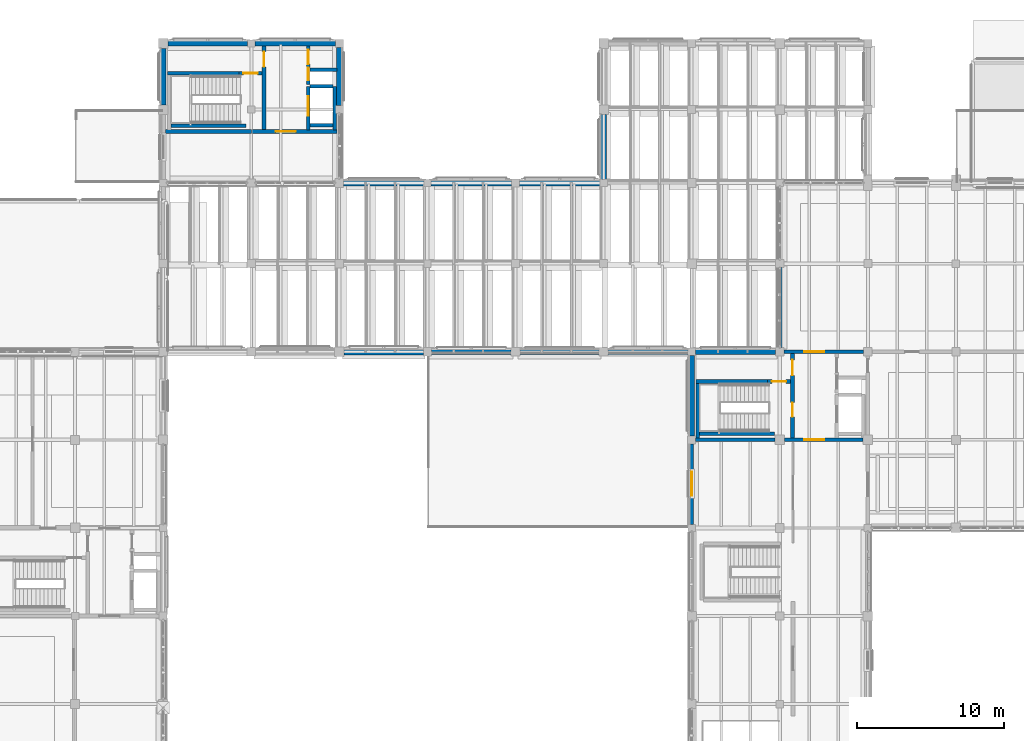
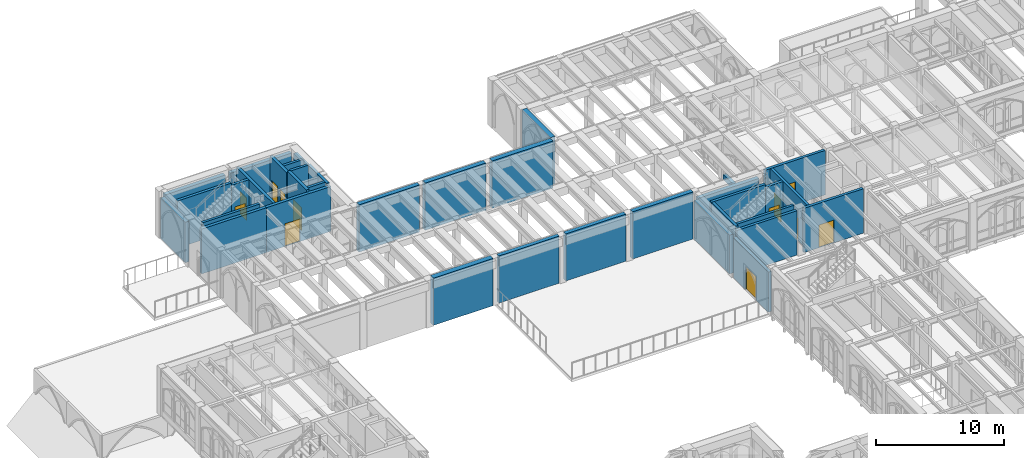
# One storey, part 78 of 127: 36 walls, 12 doors, 12 openings.
"""IFC4 building model written with IfcOpenShell, lengths in metres."""

from ifc_helpers import new_model, si_unit, direction, frame, frame_2d, origin, place, context, subcontext, project, spatial, rectangle, extrude, material, layer, layer_set, type_object, element, fill, save


model = new_model("IFC4")

# Units and contexts
model_context = context("Model", 3, precision=1e-05, world=origin(), true_north=direction((0.0, 1.0)))
body_context = subcontext(model_context, "Body", "Model", "MODEL_VIEW")
ifc_project = project(units=[si_unit("LENGTHUNIT", "METRE"), si_unit("AREAUNIT", "SQUARE_METRE"), si_unit("VOLUMEUNIT", "CUBIC_METRE"), si_unit("PLANEANGLEUNIT", "RADIAN"), si_unit("MASSUNIT", "GRAM", prefix="KILO")], contexts=[model_context])

# Site, building, storey
site_placement = place(None, origin())
site = spatial("IfcSite", under=ifc_project, at=site_placement, CompositionType="ELEMENT")
building_placement = place(site_placement, origin())
building = spatial("IfcBuilding", under=site, at=building_placement, Name="Cumevento Cable Car Station", CompositionType="ELEMENT")
storey_placement = place(building_placement, frame((0.0, 0.0, 4.5)))
storey = spatial("IfcBuildingStorey", under=building, at=storey_placement, Name="L02", CompositionType="ELEMENT", Elevation=4.5)

# Wall, opening, door
ifc_material_1 = material(Name="Gnaisse Facoidal Stone Ashlar 85 MPa", Category="masonry")
ifc_layer_1 = layer(ifc_material_1, 0.280029296875)
ifc_layer_set_1 = layer_set([ifc_layer_1], Name="Gnaisse Facoidal Stone Ashlar 85 MPa")
wall_type_1 = type_object("IfcWallType", Name="Exterior Envelope Wall EW-280 280", PredefinedType="SOLIDWALL", material=ifc_layer_set_1)
wall_1_placement = place(storey_placement, frame((58.0, 33.25, 0.0), z_axis=(0.0, 0.0, 1.0), x_axis=(0.0, 1.0, 0.0)))
wall_1 = element("IfcWall", 1, at=wall_1_placement, inside=storey, type_object=wall_type_1, Name="Exterior Wall EW-280 L02 #118", PredefinedType="SOLIDWALL", context=body_context, shape_type="SweptSolid", body=[
    extrude(rectangle(XDim=5.47509765625, YDim=0.280029296875, at=frame_2d((2.737548828125, 0.0))), origin(), (0.0, 0.0, 1.0), 3.821044921875),
])
opening_1_placement = place(wall_1_placement, frame((1.929931640625, 0.0, 0.0)))
opening_1 = element("IfcOpeningElement", 2, at=opening_1_placement, cuts=wall_1, Name="Opening DR-L02-T03", PredefinedType="OPENING", context=body_context, shape_type="SweptSolid", body=[
    extrude(rectangle(XDim=1.639892578125, YDim=2.219970703125, at=frame_2d((0.81982421875, 1.10986328125))), frame((0.0, 0.150146484375, 0.0), z_axis=(0.0, -1.0, 0.0), x_axis=(1.0, 0.0, 0.0)), (0.0, 0.0, 1.0), 0.300048828125),
])
ifc_material_2 = material(Name="Anodised Bronze Aluminium & Laminated Glass", Category="aluminium")
door_type_1 = type_object("IfcDoorType", Name="Exterior Door ED-05 1640x2220", OperationType="NOTDEFINED", PredefinedType="DOOR", material=ifc_material_2)
door_1_placement = place(opening_1_placement, origin())
door_1 = element("IfcDoor", 3, at=door_1_placement, inside=storey, type_object=door_type_1, Name="West Cloister Parterre Terrace Door", OperationType="DOUBLE_DOOR_SINGLE_SWING", OverallHeight=2.219970703125, OverallWidth=1.639892578125, PredefinedType="DOOR", context=body_context, shape_type="SweptSolid", body=[
    extrude(rectangle(XDim=1.639892578125, YDim=2.219970703125, at=frame_2d((0.81982421875, 1.10986328125))), frame((0.0, 0.02490234375, 0.0), z_axis=(0.0, -1.0, 0.0), x_axis=(1.0, 0.0, 0.0)), (0.0, 0.0, 1.0), 0.050048828125),
])
fill(opening_1, door_1)

# Walls
ifc_material_3 = material(Name="Gnaisse Facoidal Stone Ashlar 85 MPa", Category="masonry")
ifc_layer_2 = layer(ifc_material_3, 0.294921875)
ifc_layer_set_2 = layer_set([ifc_layer_2], Name="Gnaisse Facoidal Stone Ashlar 85 MPa")
wall_type_2 = type_object("IfcWallType", Name="Exterior Envelope Wall EW-295 295", PredefinedType="SOLIDWALL", material=ifc_layer_set_2)
wall_2_placement = place(storey_placement, frame((64.0, 45.300048828125, 0.0), z_axis=(0.0, 0.0, 1.0), x_axis=(0.0, 1.0, 0.0)))
element("IfcWall", 4, at=wall_2_placement, inside=storey, type_object=wall_type_2, Name="Exterior Sill Curb Wall EW-295 L02 #154", PredefinedType="SOLIDWALL", context=body_context, shape_type="SweptSolid", body=[
    extrude(rectangle(XDim=5.425048828125, YDim=0.294921875, at=frame_2d((2.71240234375, 0.0))), origin(), (0.0, 0.0, 1.0), 0.4599609375),
])
ifc_material_4 = material(Name="Concrete C40/50", Category="concrete")
ifc_layer_3 = layer(ifc_material_4, 0.35498046875)
ifc_layer_set_3 = layer_set([ifc_layer_3], Name="Concrete C40/50")
wall_type_3 = type_object("IfcWallType", Name="Exterior Envelope Wall EW-355 355", PredefinedType="SOLIDWALL", material=ifc_layer_set_3)
wall_3_placement = place(storey_placement, frame((58.25, 45.0, 0.0), z_axis=(0.0, 0.0, 1.0), x_axis=(1.0, 0.0, 0.0)))
element("IfcWall", 5, at=wall_3_placement, inside=storey, type_object=wall_type_3, Name="Exterior Wall EW-355 L02 #119", PredefinedType="SOLIDWALL", context=body_context, shape_type="SweptSolid", body=[
    extrude(rectangle(XDim=5.449951171875, YDim=0.35498046875, at=frame_2d((2.72509765625, 0.0))), origin(), (0.0, 0.0, 1.0), 3.697021484375),
])
wall_4_placement = place(storey_placement, frame((58.0, 39.27490234375, 0.0), z_axis=(0.0, 0.0, 1.0), x_axis=(0.0, 1.0, 0.0)))
element("IfcWall", 6, at=wall_4_placement, inside=storey, type_object=wall_type_3, Name="Exterior Wall EW-355 L02 #120", PredefinedType="SOLIDWALL", context=body_context, shape_type="SweptSolid", body=[
    extrude(rectangle(XDim=5.47509765625, YDim=0.35498046875, at=frame_2d((2.737548828125, 0.0))), origin(), (0.0, 0.0, 1.0), 3.702880859375),
])
wall_5_placement = place(storey_placement, frame((22.324951171875, 66.0, 0.0), z_axis=(0.0, 0.0, 1.0), x_axis=(1.0, 0.0, 0.0)))
element("IfcWall", 7, at=wall_5_placement, inside=storey, type_object=wall_type_3, Name="Exterior Wall EW-355 L02 #142", PredefinedType="SOLIDWALL", context=body_context, shape_type="SweptSolid", body=[
    extrude(rectangle(XDim=5.425048828125, YDim=0.35498046875, at=frame_2d((2.71240234375, 0.0))), origin(), (0.0, 0.0, 1.0), 3.868896484375),
])
wall_6_placement = place(storey_placement, frame((28.25, 66.0, 0.0), z_axis=(0.0, 0.0, 1.0), x_axis=(1.0, 0.0, 0.0)))
element("IfcWall", 8, at=wall_6_placement, inside=storey, type_object=wall_type_3, Name="Exterior Wall EW-355 L02 #144", PredefinedType="SOLIDWALL", context=body_context, shape_type="SweptSolid", body=[
    extrude(rectangle(XDim=5.47509765625, YDim=0.35498046875, at=frame_2d((2.737548828125, 0.0))), origin(), (0.0, 0.0, 1.0), 3.868896484375),
])
wall_7_placement = place(storey_placement, frame((22.0, 61.824951171875, 0.0), z_axis=(0.0, 0.0, 1.0), x_axis=(0.0, 1.0, 0.0)))
element("IfcWall", 9, at=wall_7_placement, inside=storey, type_object=wall_type_3, Name="Exterior Wall EW-355 L02 #147", PredefinedType="SOLIDWALL", context=body_context, shape_type="SweptSolid", body=[
    extrude(rectangle(XDim=3.85009765625, YDim=0.35498046875, at=frame_2d((1.925048828125, 0.0))), origin(), (0.0, 0.0, 1.0), 3.868896484375),
])
wall_8_placement = place(storey_placement, frame((34.0, 65.72509765625, 0.0), z_axis=(0.0, 0.0, 1.0), x_axis=(0.0, -1.0, 0.0)))
element("IfcWall", 10, at=wall_8_placement, inside=storey, type_object=wall_type_3, Name="Exterior Wall EW-355 L02 #148", PredefinedType="SOLIDWALL", context=body_context, shape_type="SweptSolid", body=[
    extrude(rectangle(XDim=3.9501953125, YDim=0.35498046875, at=frame_2d((1.97509765625, 0.0))), origin(), (0.0, 0.0, 1.0), 3.868896484375),
])
ifc_material_5 = material(Name="Concrete C40/50", Category="concrete")
ifc_layer_4 = layer(ifc_material_5, 0.22998046875)
ifc_layer_set_4 = layer_set([ifc_layer_4], Name="Concrete C40/50")
wall_type_4 = type_object("IfcWallType", Name="Interior Shear Wall CW-230 230", PredefinedType="SHEAR", material=ifc_layer_set_4)
wall_9_placement = place(storey_placement, frame((58.405029296875, 39.114990234375, 0.0), z_axis=(0.0, 0.0, 1.0), x_axis=(0.0, 1.0, 0.0)))
element("IfcWall", 11, at=wall_9_placement, inside=storey, type_object=wall_type_4, Name="Interior Wall CW-230 L02 #158", PredefinedType="SHEAR", context=body_context, shape_type="SweptSolid", body=[
    extrude(rectangle(XDim=3.735107421875, YDim=0.22998046875, at=frame_2d((1.86767578125, 0.0))), origin(), (0.0, 0.0, 1.0), 4.5),
])
for number, where, z_axis, x_axis, name in (
    (12, (58.52001953125, 39.405029296875, 0.0), (0.0, 0.0, 1.0), (1.0, 0.0, 0.0), "Interior Wall CW-230 L02 #159"),
    (13, (22.52001953125, 60.405029296875, 0.0), (0.0, 0.0, 1.0), (1.0, 0.0, 0.0), "Interior Wall CW-230 L02 #362"),
):
    element("IfcWall", number, at=place(storey_placement, frame(where, z_axis=z_axis, x_axis=x_axis)), inside=storey, type_object=wall_type_4, Name=name, PredefinedType="SHEAR", context=body_context, shape_type="SweptSolid", body=[
        extrude(rectangle(XDim=5.1298828125, YDim=0.22998046875, at=frame_2d((2.56494140625, 0.0))), origin(), (0.0, 0.0, 1.0), 4.5),
    ])
wall_10_placement = place(storey_placement, frame((32.0048828125, 60.419921875, 0.0), z_axis=(0.0, 0.0, 1.0), x_axis=(1.0, 0.0, 0.0)))
element("IfcWall", 14, at=wall_10_placement, inside=storey, type_object=wall_type_4, Name="Interior Wall CW-230 L02 #367", PredefinedType="SHEAR", context=body_context, shape_type="SweptSolid", body=[
    extrude(rectangle(XDim=1.580078125, YDim=0.22998046875, at=frame_2d((0.7900390625, 0.0))), origin(), (0.0, 0.0, 1.0), 4.5),
])
wall_11_placement = place(storey_placement, frame((33.699951171875, 60.114990234375, 0.0), z_axis=(0.0, 0.0, 1.0), x_axis=(0.0, 1.0, 0.0)))
element("IfcWall", 15, at=wall_11_placement, inside=storey, type_object=wall_type_4, Name="Interior Wall CW-230 L02 #368", PredefinedType="SHEAR", context=body_context, shape_type="SweptSolid", body=[
    extrude(rectangle(XDim=2.965087890625, YDim=0.22998046875, at=frame_2d((1.482421875, 0.0))), origin(), (0.0, 0.0, 1.0), 4.5),
])
wall_12_placement = place(storey_placement, frame((32.0048828125, 63.080078125, 0.0), z_axis=(0.0, 0.0, 1.0), x_axis=(1.0, 0.0, 0.0)))
element("IfcWall", 16, at=wall_12_placement, inside=storey, type_object=wall_type_4, Name="Interior Wall CW-230 L02 #369", PredefinedType="SHEAR", context=body_context, shape_type="SweptSolid", body=[
    extrude(rectangle(XDim=1.580078125, YDim=0.22998046875, at=frame_2d((0.7900390625, 0.0))), origin(), (0.0, 0.0, 1.0), 4.5),
])
wall_13_placement = place(storey_placement, frame((32.0048828125, 64.219970703125, 0.0), z_axis=(0.0, 0.0, 1.0), x_axis=(1.0, 0.0, 0.0)))
element("IfcWall", 17, at=wall_13_placement, inside=storey, type_object=wall_type_4, Name="Interior Wall CW-230 L02 #371", PredefinedType="SHEAR", context=body_context, shape_type="SweptSolid", body=[
    extrude(rectangle(XDim=1.820068359375, YDim=0.22998046875, at=frame_2d((0.91015625, 0.0))), origin(), (0.0, 0.0, 1.0), 4.27587890625),
])
ifc_material_6 = material(Name="Concrete C40/50", Category="concrete")
ifc_layer_5 = layer(ifc_material_6, 0.25)
ifc_layer_set_5 = layer_set([ifc_layer_5], Name="Concrete C40/50")
wall_type_5 = type_object("IfcWallType", Name="Interior Shear Wall CW-250 250", PredefinedType="SHEAR", material=ifc_layer_set_5)
wall_14_placement = place(storey_placement, frame((58.27490234375, 39.0, 0.0), z_axis=(0.0, 0.0, 1.0), x_axis=(1.0, 0.0, 0.0)))
element("IfcWall", 18, at=wall_14_placement, inside=storey, type_object=wall_type_5, Name="Interior Wall CW-250 L02 #154", PredefinedType="SHEAR", context=body_context, shape_type="SweptSolid", body=[
    extrude(rectangle(XDim=5.400146484375, YDim=0.25, at=frame_2d((2.7001953125, 0.0))), origin(), (0.0, 0.0, 1.0), 4.22802734375),
])

# Wall, opening, door
wall_15_placement = place(storey_placement, frame((64.324951171875, 39.0, 0.0), z_axis=(0.0, 0.0, 1.0), x_axis=(1.0, 0.0, 0.0)))
wall_15 = element("IfcWall", 19, at=wall_15_placement, inside=storey, type_object=wall_type_5, Name="Interior Wall CW-250 L02 #155", PredefinedType="SHEAR", context=body_context, shape_type="SweptSolid", body=[
    extrude(rectangle(XDim=5.35009765625, YDim=0.25, at=frame_2d((2.675048828125, 0.0))), origin(), (0.0, 0.0, 1.0), 4.22802734375),
])
opening_2_placement = place(wall_15_placement, frame((1.3349609375, 0.0, 0.0)))
opening_2 = element("IfcOpeningElement", 20, at=opening_2_placement, cuts=wall_15, Name="Opening DR-L02-008", PredefinedType="OPENING", context=body_context, shape_type="SweptSolid", body=[
    extrude(rectangle(XDim=1.3798828125, YDim=2.159912109375, at=frame_2d((0.68994140625, 1.080078125))), frame((0.0, 0.135009765625, 0.0), z_axis=(0.0, -1.0, 0.0), x_axis=(1.0, 0.0, 0.0)), (0.0, 0.0, 1.0), 0.27001953125),
])
ifc_material_7 = material(Name="Galvanised Painted Steel Fire Door", Category="steel")
door_type_2 = type_object("IfcDoorType", Name="Interior Door FD-04 1380x2160", OperationType="NOTDEFINED", PredefinedType="DOOR", material=ifc_material_7)
door_2_placement = place(opening_2_placement, origin())
door_2 = element("IfcDoor", 21, at=door_2_placement, inside=storey, type_object=door_type_2, Name="Core CORE1 S_lobby Fire Door L02", OperationType="DOUBLE_DOOR_SINGLE_SWING", OverallHeight=2.159912109375, OverallWidth=1.3798828125, PredefinedType="DOOR", context=body_context, shape_type="SweptSolid", body=[
    extrude(rectangle(XDim=1.3798828125, YDim=2.159912109375, at=frame_2d((0.68994140625, 1.080078125))), frame((0.0, 0.02490234375, 0.0), z_axis=(0.0, -1.0, 0.0), x_axis=(1.0, 0.0, 0.0)), (0.0, 0.0, 1.0), 0.050048828125),
])
fill(opening_2, door_2)

wall_16_placement = place(storey_placement, frame((64.300048828125, 45.0, 0.0), z_axis=(0.0, 0.0, 1.0), x_axis=(1.0, 0.0, 0.0)))
wall_16 = element("IfcWall", 22, at=wall_16_placement, inside=storey, type_object=wall_type_5, Name="Interior Wall CW-250 L02 #156", PredefinedType="SHEAR", context=body_context, shape_type="SweptSolid", body=[
    extrude(rectangle(XDim=5.39990234375, YDim=0.25, at=frame_2d((2.699951171875, 0.0))), origin(), (0.0, 0.0, 1.0), 4.22802734375),
])
opening_3_placement = place(wall_16_placement, frame((1.360107421875, 0.0, 0.0)))
opening_3 = element("IfcOpeningElement", 23, at=opening_3_placement, cuts=wall_16, Name="Opening DR-L02-009", PredefinedType="OPENING", context=body_context, shape_type="SweptSolid", body=[
    extrude(rectangle(XDim=1.3798828125, YDim=2.159912109375, at=frame_2d((0.68994140625, 1.080078125))), frame((0.0, 0.135009765625, 0.0), z_axis=(0.0, -1.0, 0.0), x_axis=(1.0, 0.0, 0.0)), (0.0, 0.0, 1.0), 0.27001953125),
])
door_3_placement = place(opening_3_placement, origin())
door_3 = element("IfcDoor", 24, at=door_3_placement, inside=storey, type_object=door_type_2, Name="Core CORE1 N_lobby Fire Door L02", OperationType="DOUBLE_DOOR_SINGLE_SWING", OverallHeight=2.159912109375, OverallWidth=1.3798828125, PredefinedType="DOOR", context=body_context, shape_type="SweptSolid", body=[
    extrude(rectangle(XDim=1.3798828125, YDim=2.159912109375, at=frame_2d((0.68994140625, 1.080078125))), frame((0.0, 0.02490234375, 0.0), z_axis=(0.0, -1.0, 0.0), x_axis=(1.0, 0.0, 0.0)), (0.0, 0.0, 1.0), 0.050048828125),
])
fill(opening_3, door_3)

# Wall
wall_17_placement = place(storey_placement, frame((58.2900390625, 42.97509765625, 0.0), z_axis=(0.0, 0.0, 1.0), x_axis=(1.0, 0.0, 0.0)))
element("IfcWall", 25, at=wall_17_placement, inside=storey, type_object=wall_type_5, Name="Interior Wall CW-250 L02 #160", PredefinedType="SHEAR", context=body_context, shape_type="SweptSolid", body=[
    extrude(rectangle(XDim=4.869873046875, YDim=0.25, at=frame_2d((2.43505859375, 0.0))), origin(), (0.0, 0.0, 1.0), 4.5),
])

# Wall, opening, door
wall_18_placement = place(storey_placement, frame((63.159912109375, 42.97509765625, 0.0), z_axis=(0.0, 0.0, 1.0), x_axis=(1.0, 0.0, 0.0)))
wall_18 = element("IfcWall", 26, at=wall_18_placement, inside=storey, type_object=wall_type_5, Name="Interior Wall CW-250 L02 #161", PredefinedType="SHEAR", context=body_context, shape_type="SweptSolid", body=[
    extrude(rectangle(XDim=1.580078125, YDim=0.25, at=frame_2d((0.7900390625, 0.0))), origin(), (0.0, 0.0, 1.0), 4.22802734375),
])
opening_4_placement = place(wall_18_placement, frame((0.31005859375, 0.0, 0.0)))
opening_4 = element("IfcOpeningElement", 27, at=opening_4_placement, cuts=wall_18, Name="Opening DR-L02-011", PredefinedType="OPENING", context=body_context, shape_type="SweptSolid", body=[
    extrude(rectangle(XDim=0.9599609375, YDim=2.1201171875, at=frame_2d((0.47998046875, 1.06005859375))), frame((0.0, 0.135009765625, 0.0), z_axis=(0.0, -1.0, 0.0), x_axis=(1.0, 0.0, 0.0)), (0.0, 0.0, 1.0), 0.27001953125),
])
ifc_material_8 = material(Name="Galvanised Painted Steel Fire Door", Category="steel")
door_type_3 = type_object("IfcDoorType", Name="Interior Door FD-01 960x2120", OperationType="NOTDEFINED", PredefinedType="DOOR", material=ifc_material_8)
door_4_placement = place(opening_4_placement, origin())
door_4 = element("IfcDoor", 28, at=door_4_placement, inside=storey, type_object=door_type_3, Name="Stair ST-01 Enclosure Door L02", OperationType="SINGLE_SWING_LEFT", OverallHeight=2.1201171875, OverallWidth=0.9599609375, PredefinedType="DOOR", context=body_context, shape_type="SweptSolid", body=[
    extrude(rectangle(XDim=0.9599609375, YDim=2.1201171875, at=frame_2d((0.47998046875, 1.06005859375))), frame((0.0, 0.02490234375, 0.0), z_axis=(0.0, -1.0, 0.0), x_axis=(1.0, 0.0, 0.0)), (0.0, 0.0, 1.0), 0.050048828125),
])
fill(opening_4, door_4)

# Wall, openings, doors
wall_19_placement = place(storey_placement, frame((64.864990234375, 39.125, 0.0), z_axis=(0.0, 0.0, 1.0), x_axis=(0.0, 1.0, 0.0)))
wall_19 = element("IfcWall", 29, at=wall_19_placement, inside=storey, type_object=wall_type_5, Name="Interior Wall CW-250 L02 #162", PredefinedType="SHEAR", context=body_context, shape_type="SweptSolid", body=[
    extrude(rectangle(XDim=5.75, YDim=0.25, at=frame_2d((2.875, 0.0))), origin(), (0.0, 0.0, 1.0), 4.22802734375),
])
opening_5_placement = place(wall_19_placement, frame((4.27490234375, 0.0, 0.0)))
opening_5 = element("IfcOpeningElement", 30, at=opening_5_placement, cuts=wall_19, Name="Opening DR-L02-012", PredefinedType="OPENING", context=body_context, shape_type="SweptSolid", body=[
    extrude(rectangle(XDim=1.0400390625, YDim=2.139892578125, at=frame_2d((0.52001953125, 1.06982421875))), frame((0.0, 0.135009765625, 0.0), z_axis=(0.0, -1.0, 0.0), x_axis=(1.0, 0.0, 0.0)), (0.0, 0.0, 1.0), 0.27001953125),
])
opening_6_placement = place(wall_19_placement, frame((1.445068359375, 0.0, 0.0)))
opening_6 = element("IfcOpeningElement", 31, at=opening_6_placement, cuts=wall_19, Name="Opening DR-L02-013", PredefinedType="OPENING", context=body_context, shape_type="SweptSolid", body=[
    extrude(rectangle(XDim=0.9599609375, YDim=2.1201171875, at=frame_2d((0.47998046875, 1.06005859375))), frame((0.0, 0.135009765625, 0.0), z_axis=(0.0, -1.0, 0.0), x_axis=(1.0, 0.0, 0.0)), (0.0, 0.0, 1.0), 0.27001953125),
])
door_5_placement = place(opening_6_placement, origin())
door_5 = element("IfcDoor", 32, at=door_5_placement, inside=storey, type_object=door_type_3, Name="Firefighting Lobby Direct Stair Door L02", OperationType="SINGLE_SWING_LEFT", OverallHeight=2.1201171875, OverallWidth=0.9599609375, PredefinedType="DOOR", context=body_context, shape_type="SweptSolid", body=[
    extrude(rectangle(XDim=0.9599609375, YDim=2.1201171875, at=frame_2d((0.47998046875, 1.06005859375))), frame((0.0, 0.02490234375, 0.0), z_axis=(0.0, -1.0, 0.0), x_axis=(1.0, 0.0, 0.0)), (0.0, 0.0, 1.0), 0.050048828125),
])
fill(opening_6, door_5)
ifc_material_9 = material(Name="Galvanised Painted Steel Fire Door", Category="steel")
door_type_4 = type_object("IfcDoorType", Name="Interior Door FD-02 1040x2140", OperationType="NOTDEFINED", PredefinedType="DOOR", material=ifc_material_9)
door_6_placement = place(opening_5_placement, origin())
door_6 = element("IfcDoor", 33, at=door_6_placement, inside=storey, type_object=door_type_4, Name="Lobby Vestibule Door CORE1 L02", OperationType="SINGLE_SWING_RIGHT", OverallHeight=2.139892578125, OverallWidth=1.0400390625, PredefinedType="DOOR", context=body_context, shape_type="SweptSolid", body=[
    extrude(rectangle(XDim=1.0400390625, YDim=2.139892578125, at=frame_2d((0.52001953125, 1.06982421875))), frame((0.0, 0.02490234375, 0.0), z_axis=(0.0, -1.0, 0.0), x_axis=(1.0, 0.0, 0.0)), (0.0, 0.0, 1.0), 0.050048828125),
])
fill(opening_5, door_6)

# Wall
wall_20_placement = place(storey_placement, frame((22.2900390625, 63.97509765625, 0.0), z_axis=(0.0, 0.0, 1.0), x_axis=(1.0, 0.0, 0.0)))
element("IfcWall", 34, at=wall_20_placement, inside=storey, type_object=wall_type_5, Name="Interior Wall CW-250 L02 #363", PredefinedType="SHEAR", context=body_context, shape_type="SweptSolid", body=[
    extrude(rectangle(XDim=4.869873046875, YDim=0.25, at=frame_2d((2.43505859375, 0.0))), origin(), (0.0, 0.0, 1.0), 4.5),
])

# Wall, opening, door
wall_21_placement = place(storey_placement, frame((27.159912109375, 63.97509765625, 0.0), z_axis=(0.0, 0.0, 1.0), x_axis=(1.0, 0.0, 0.0)))
wall_21 = element("IfcWall", 35, at=wall_21_placement, inside=storey, type_object=wall_type_5, Name="Interior Wall CW-250 L02 #364", PredefinedType="SHEAR", context=body_context, shape_type="SweptSolid", body=[
    extrude(rectangle(XDim=1.580078125, YDim=0.25, at=frame_2d((0.7900390625, 0.0))), origin(), (0.0, 0.0, 1.0), 4.27587890625),
])
opening_7_placement = place(wall_21_placement, frame((0.31005859375, 0.0, 0.0)))
opening_7 = element("IfcOpeningElement", 36, at=opening_7_placement, cuts=wall_21, Name="Opening DR-L02-107", PredefinedType="OPENING", context=body_context, shape_type="SweptSolid", body=[
    extrude(rectangle(XDim=0.9599609375, YDim=2.1201171875, at=frame_2d((0.47998046875, 1.06005859375))), frame((0.0, 0.135009765625, 0.0), z_axis=(0.0, -1.0, 0.0), x_axis=(1.0, 0.0, 0.0)), (0.0, 0.0, 1.0), 0.27001953125),
])
door_7_placement = place(opening_7_placement, origin())
door_7 = element("IfcDoor", 37, at=door_7_placement, inside=storey, type_object=door_type_3, Name="Stair ST-04 Enclosure Door L02", OperationType="SINGLE_SWING_RIGHT", OverallHeight=2.1201171875, OverallWidth=0.9599609375, PredefinedType="DOOR", context=body_context, shape_type="SweptSolid", body=[
    extrude(rectangle(XDim=0.9599609375, YDim=2.1201171875, at=frame_2d((0.47998046875, 1.06005859375))), frame((0.0, 0.02490234375, 0.0), z_axis=(0.0, -1.0, 0.0), x_axis=(1.0, 0.0, 0.0)), (0.0, 0.0, 1.0), 0.050048828125),
])
fill(opening_7, door_7)

wall_22_placement = place(storey_placement, frame((28.864990234375, 60.137451171875, 0.0), z_axis=(0.0, 0.0, 1.0), x_axis=(0.0, 1.0, 0.0)))
wall_22 = element("IfcWall", 38, at=wall_22_placement, inside=storey, type_object=wall_type_5, Name="Interior Wall CW-250 L02 #365", PredefinedType="SHEAR", context=body_context, shape_type="SweptSolid", body=[
    extrude(rectangle(XDim=5.6875, YDim=0.25, at=frame_2d((2.84375, 0.0))), origin(), (0.0, 0.0, 1.0), 4.27587890625),
])
opening_8_placement = place(wall_22_placement, frame((4.262451171875, 0.0, 0.0)))
opening_8 = element("IfcOpeningElement", 39, at=opening_8_placement, cuts=wall_22, Name="Opening DR-L02-108", PredefinedType="OPENING", context=body_context, shape_type="SweptSolid", body=[
    extrude(rectangle(XDim=1.0400390625, YDim=2.139892578125, at=frame_2d((0.52001953125, 1.06982421875))), frame((0.0, 0.135009765625, 0.0), z_axis=(0.0, -1.0, 0.0), x_axis=(1.0, 0.0, 0.0)), (0.0, 0.0, 1.0), 0.27001953125),
])
door_8_placement = place(opening_8_placement, origin())
door_8 = element("IfcDoor", 40, at=door_8_placement, inside=storey, type_object=door_type_4, Name="Lobby Vestibule Door CORE4 L02", OperationType="SINGLE_SWING_LEFT", OverallHeight=2.139892578125, OverallWidth=1.0400390625, PredefinedType="DOOR", context=body_context, shape_type="SweptSolid", body=[
    extrude(rectangle(XDim=1.0400390625, YDim=2.139892578125, at=frame_2d((0.52001953125, 1.06982421875))), frame((0.0, 0.02490234375, 0.0), z_axis=(0.0, -1.0, 0.0), x_axis=(1.0, 0.0, 0.0)), (0.0, 0.0, 1.0), 0.050048828125),
])
fill(opening_8, door_8)

wall_23_placement = place(storey_placement, frame((31.8798828125, 60.114990234375, 0.0), z_axis=(0.0, 0.0, 1.0), x_axis=(0.0, 1.0, 0.0)))
wall_23 = element("IfcWall", 41, at=wall_23_placement, inside=storey, type_object=wall_type_5, Name="Interior Wall CW-250 L02 #366", PredefinedType="SHEAR", context=body_context, shape_type="SweptSolid", body=[
    extrude(rectangle(XDim=2.965087890625, YDim=0.25, at=frame_2d((1.482421875, 0.0))), origin(), (0.0, 0.0, 1.0), 4.5),
])
opening_9_placement = place(wall_23_placement, frame((0.97509765625, 0.0, 0.0)))
opening_9 = element("IfcOpeningElement", 42, at=opening_9_placement, cuts=wall_23, Name="Opening LD-LF04-L02", PredefinedType="OPENING", context=body_context, shape_type="SweptSolid", body=[
    extrude(rectangle(XDim=1.320068359375, YDim=2.199951171875, at=frame_2d((0.66015625, 1.10009765625))), frame((0.0, 0.135009765625, 0.0), z_axis=(0.0, -1.0, 0.0), x_axis=(1.0, 0.0, 0.0)), (0.0, 0.0, 1.0), 0.27001953125),
])
ifc_material_10 = material(Name="Brushed Stainless Steel Lift Door", Category="steel")
door_type_5 = type_object("IfcDoorType", Name="Interior Door LD-04 1320x2200", OperationType="NOTDEFINED", PredefinedType="DOOR", material=ifc_material_10)
door_9_placement = place(opening_9_placement, origin())
door_9 = element("IfcDoor", 43, at=door_9_placement, inside=storey, type_object=door_type_5, Name="Lift Landing Door LD-LF04-L02", OperationType="DOUBLE_DOOR_SLIDING", OverallHeight=2.199951171875, OverallWidth=1.320068359375, PredefinedType="DOOR", context=body_context, shape_type="SweptSolid", body=[
    extrude(rectangle(XDim=1.320068359375, YDim=2.199951171875, at=frame_2d((0.66015625, 1.10009765625))), frame((0.0, 0.02490234375, 0.0), z_axis=(0.0, -1.0, 0.0), x_axis=(1.0, 0.0, 0.0)), (0.0, 0.0, 1.0), 0.050048828125),
])
fill(opening_9, door_9)

# Wall, openings, doors
wall_24_placement = place(storey_placement, frame((31.8798828125, 63.199951171875, 0.0), z_axis=(0.0, 0.0, 1.0), x_axis=(0.0, 1.0, 0.0)))
wall_24 = element("IfcWall", 44, at=wall_24_placement, inside=storey, type_object=wall_type_5, Name="Interior Wall CW-250 L02 #370", PredefinedType="SHEAR", context=body_context, shape_type="SweptSolid", body=[
    extrude(rectangle(XDim=2.625, YDim=0.25, at=frame_2d((1.3125, 0.0))), origin(), (0.0, 0.0, 1.0), 4.27587890625),
])
opening_10_placement = place(wall_24_placement, frame((0.280029296875, 0.0, 0.0)))
opening_10 = element("IfcOpeningElement", 45, at=opening_10_placement, cuts=wall_24, Name="Opening DR-L02-110", PredefinedType="OPENING", context=body_context, shape_type="SweptSolid", body=[
    extrude(rectangle(XDim=0.8798828125, YDim=2.080078125, at=frame_2d((0.43994140625, 1.0400390625))), frame((0.0, 0.135009765625, 0.0), z_axis=(0.0, -1.0, 0.0), x_axis=(1.0, 0.0, 0.0)), (0.0, 0.0, 1.0), 0.27001953125),
])
opening_11_placement = place(wall_24_placement, frame((1.39990234375, 0.0, 0.0)))
opening_11 = element("IfcOpeningElement", 46, at=opening_11_placement, cuts=wall_24, Name="Opening DR-L02-111", PredefinedType="OPENING", context=body_context, shape_type="SweptSolid", body=[
    extrude(rectangle(XDim=0.9599609375, YDim=2.1201171875, at=frame_2d((0.47998046875, 1.06005859375))), frame((0.0, 0.135009765625, 0.0), z_axis=(0.0, -1.0, 0.0), x_axis=(1.0, 0.0, 0.0)), (0.0, 0.0, 1.0), 0.27001953125),
])
door_10_placement = place(opening_11_placement, origin())
door_10 = element("IfcDoor", 47, at=door_10_placement, inside=storey, type_object=door_type_3, Name="East Vestibule Lobby Door CORE4 L02", OperationType="SINGLE_SWING_LEFT", OverallHeight=2.1201171875, OverallWidth=0.9599609375, PredefinedType="DOOR", context=body_context, shape_type="SweptSolid", body=[
    extrude(rectangle(XDim=0.9599609375, YDim=2.1201171875, at=frame_2d((0.47998046875, 1.06005859375))), frame((0.0, 0.02490234375, 0.0), z_axis=(0.0, -1.0, 0.0), x_axis=(1.0, 0.0, 0.0)), (0.0, 0.0, 1.0), 0.050048828125),
])
fill(opening_11, door_10)
ifc_material_11 = material(Name="Galvanised Painted Steel Fire Door", Category="steel")
door_type_6 = type_object("IfcDoorType", Name="Interior Door FD-07 880x2080", OperationType="NOTDEFINED", PredefinedType="DOOR", material=ifc_material_11)
door_11_placement = place(opening_10_placement, origin())
door_11 = element("IfcDoor", 48, at=door_11_placement, inside=storey, type_object=door_type_6, Name="MEP Riser Access Door CORE4 L02", OperationType="SINGLE_SWING_RIGHT", OverallHeight=2.080078125, OverallWidth=0.8798828125, PredefinedType="DOOR", context=body_context, shape_type="SweptSolid", body=[
    extrude(rectangle(XDim=0.8798828125, YDim=2.080078125, at=frame_2d((0.43994140625, 1.0400390625))), frame((0.0, 0.02490234375, 0.0), z_axis=(0.0, -1.0, 0.0), x_axis=(1.0, 0.0, 0.0)), (0.0, 0.0, 1.0), 0.050048828125),
])
fill(opening_10, door_11)

# Wall
ifc_material_12 = material(Name="Concrete C40/50", Category="concrete")
ifc_layer_6 = layer(ifc_material_12, 0.27490234375)
ifc_layer_set_6 = layer_set([ifc_layer_6], Name="Concrete C40/50")
wall_type_6 = type_object("IfcWallType", Name="Interior Shear Wall CW-275 275", PredefinedType="SHEAR", material=ifc_layer_set_6)
wall_25_placement = place(storey_placement, frame((22.175048828125, 60.0, 0.0), z_axis=(0.0, 0.0, 1.0), x_axis=(1.0, 0.0, 0.0)))
element("IfcWall", 49, at=wall_25_placement, inside=storey, type_object=wall_type_6, Name="Interior Wall CW-275 L02 #359", PredefinedType="SHEAR", context=body_context, shape_type="SweptSolid", body=[
    extrude(rectangle(XDim=5.824951171875, YDim=0.27490234375, at=frame_2d((2.91259765625, 0.0))), origin(), (0.0, 0.0, 1.0), 4.27587890625),
])

# Wall, opening, door
wall_26_placement = place(storey_placement, frame((28.0, 60.0, 0.0), z_axis=(0.0, 0.0, 1.0), x_axis=(1.0, 0.0, 0.0)))
wall_26 = element("IfcWall", 50, at=wall_26_placement, inside=storey, type_object=wall_type_6, Name="Interior Wall CW-275 L02 #360", PredefinedType="SHEAR", context=body_context, shape_type="SweptSolid", body=[
    extrude(rectangle(XDim=5.824951171875, YDim=0.27490234375, at=frame_2d((2.91259765625, 0.0))), origin(), (0.0, 0.0, 1.0), 4.27587890625),
])
opening_12_placement = place(wall_26_placement, frame((1.659912109375, 0.0, 0.0)))
opening_12 = element("IfcOpeningElement", 51, at=opening_12_placement, cuts=wall_26, Name="Opening DR-L02-106", PredefinedType="OPENING", context=body_context, shape_type="SweptSolid", body=[
    extrude(rectangle(XDim=1.3798828125, YDim=2.159912109375, at=frame_2d((0.68994140625, 1.080078125))), frame((0.0, 0.1474609375, 0.0), z_axis=(0.0, -1.0, 0.0), x_axis=(1.0, 0.0, 0.0)), (0.0, 0.0, 1.0), 0.294921875),
])
door_12_placement = place(opening_12_placement, origin())
door_12 = element("IfcDoor", 52, at=door_12_placement, inside=storey, type_object=door_type_2, Name="Core CORE4 S_lobby Fire Door L02", OperationType="DOUBLE_DOOR_SINGLE_SWING", OverallHeight=2.159912109375, OverallWidth=1.3798828125, PredefinedType="DOOR", context=body_context, shape_type="SweptSolid", body=[
    extrude(rectangle(XDim=1.3798828125, YDim=2.159912109375, at=frame_2d((0.68994140625, 1.080078125))), frame((0.0, 0.02490234375, 0.0), z_axis=(0.0, -1.0, 0.0), x_axis=(1.0, 0.0, 0.0)), (0.0, 0.0, 1.0), 0.050048828125),
])
fill(opening_12, door_12)

# Walls
ifc_material_13 = material(Name="Concrete C40/50", Category="concrete")
ifc_layer_7 = layer(ifc_material_13, 0.340087890625)
ifc_layer_set_7 = layer_set([ifc_layer_7], Name="Concrete C40/50")
wall_type_7 = type_object("IfcWallType", Name="Retaining Wall RW-340 340", PredefinedType="USERDEFINED", material=ifc_layer_set_7)
wall_27_placement = place(storey_placement, frame((40.27490234375, 45.0, 0.0), z_axis=(0.0, 0.0, 1.0), x_axis=(1.0, 0.0, 0.0)))
element("IfcWall", 53, at=wall_27_placement, inside=storey, type_object=wall_type_7, Name="Retaining Wall RW-340 L02 #24", ObjectType="RETAININGWALL", PredefinedType="USERDEFINED", context=body_context, shape_type="SweptSolid", body=[
    extrude(rectangle(XDim=5.425048828125, YDim=0.340087890625, at=frame_2d((2.71240234375, 0.0))), origin(), (0.0, 0.0, 1.0), 4.5),
])
ifc_material_14 = material(Name="Concrete C40/50", Category="concrete")
ifc_layer_8 = layer(ifc_material_14, 0.360107421875)
ifc_layer_set_8 = layer_set([ifc_layer_8], Name="Concrete C40/50")
wall_type_8 = type_object("IfcWallType", Name="Retaining Wall RW-360 360", PredefinedType="USERDEFINED", material=ifc_layer_set_8)
wall_28_placement = place(storey_placement, frame((46.300048828125, 45.0, 0.0), z_axis=(0.0, 0.0, 1.0), x_axis=(1.0, 0.0, 0.0)))
element("IfcWall", 54, at=wall_28_placement, inside=storey, type_object=wall_type_8, Name="Retaining Wall RW-360 L02 #25", ObjectType="RETAININGWALL", PredefinedType="USERDEFINED", context=body_context, shape_type="SweptSolid", body=[
    extrude(rectangle(XDim=5.39990234375, YDim=0.360107421875, at=frame_2d((2.699951171875, 0.0))), origin(), (0.0, 0.0, 1.0), 4.5),
])
ifc_material_15 = material(Name="Concrete C40/50", Category="concrete")
ifc_layer_9 = layer(ifc_material_15, 0.385009765625)
ifc_layer_set_9 = layer_set([ifc_layer_9], Name="Concrete C40/50")
wall_type_9 = type_object("IfcWallType", Name="Retaining Wall RW-385 385", PredefinedType="USERDEFINED", material=ifc_layer_set_9)
for number, where, z_axis, x_axis, name in (
    (55, (34.300048828125, 56.5, 0.0), (0.0, 0.0, 1.0), (1.0, 0.0, 0.0), "Retaining Wall RW-385 L02 #26"),
    (56, (52.300048828125, 45.0, 0.0), (0.0, 0.0, 1.0), (1.0, 0.0, 0.0), "Retaining Wall RW-385 L02 #32"),
):
    element("IfcWall", number, at=place(storey_placement, frame(where, z_axis=z_axis, x_axis=x_axis)), inside=storey, type_object=wall_type_9, Name=name, ObjectType="RETAININGWALL", PredefinedType="USERDEFINED", context=body_context, shape_type="SweptSolid", body=[
        extrude(rectangle(XDim=5.449951171875, YDim=0.385009765625, at=frame_2d((2.72509765625, 0.0))), origin(), (0.0, 0.0, 1.0), 4.5),
    ])
ifc_material_16 = material(Name="Concrete C40/50", Category="concrete")
ifc_layer_10 = layer(ifc_material_16, 0.409912109375)
ifc_layer_set_10 = layer_set([ifc_layer_10], Name="Concrete C40/50")
wall_type_10 = type_object("IfcWallType", Name="Retaining Wall RW-410 410", PredefinedType="USERDEFINED", material=ifc_layer_set_10)
wall_29_placement = place(storey_placement, frame((40.25, 56.5, 0.0), z_axis=(0.0, 0.0, 1.0), x_axis=(1.0, 0.0, 0.0)))
element("IfcWall", 57, at=wall_29_placement, inside=storey, type_object=wall_type_10, Name="Retaining Wall RW-410 L02 #27", ObjectType="RETAININGWALL", PredefinedType="USERDEFINED", context=body_context, shape_type="SweptSolid", body=[
    extrude(rectangle(XDim=5.47509765625, YDim=0.409912109375, at=frame_2d((2.737548828125, 0.0))), origin(), (0.0, 0.0, 1.0), 4.5),
])
wall_30_placement = place(storey_placement, frame((52.0, 56.75, 0.0), z_axis=(0.0, 0.0, 1.0), x_axis=(0.0, 1.0, 0.0)))
element("IfcWall", 58, at=wall_30_placement, inside=storey, type_object=wall_type_10, Name="Retaining Wall RW-410 L02 #69", ObjectType="RETAININGWALL", PredefinedType="USERDEFINED", context=body_context, shape_type="SweptSolid", body=[
    extrude(rectangle(XDim=4.425048828125, YDim=0.409912109375, at=frame_2d((2.21240234375, 0.0))), origin(), (0.0, 0.0, 1.0), 4.5),
])
ifc_material_17 = material(Name="Concrete C40/50", Category="concrete")
ifc_layer_11 = layer(ifc_material_17, 0.43505859375)
ifc_layer_set_11 = layer_set([ifc_layer_11], Name="Concrete C40/50")
wall_type_11 = type_object("IfcWallType", Name="Retaining Wall RW-435 435", PredefinedType="USERDEFINED", material=ifc_layer_set_11)
wall_31_placement = place(storey_placement, frame((46.27490234375, 56.5, 0.0), z_axis=(0.0, 0.0, 1.0), x_axis=(1.0, 0.0, 0.0)))
element("IfcWall", 59, at=wall_31_placement, inside=storey, type_object=wall_type_11, Name="Retaining Wall RW-435 L02 #28", ObjectType="RETAININGWALL", PredefinedType="USERDEFINED", context=body_context, shape_type="SweptSolid", body=[
    extrude(rectangle(XDim=5.47509765625, YDim=0.43505859375, at=frame_2d((2.737548828125, 0.0))), origin(), (0.0, 0.0, 1.0), 4.5),
])
ifc_material_18 = material(Name="Concrete C40/50", Category="concrete")
ifc_layer_12 = layer(ifc_material_18, 0.4599609375)
ifc_layer_set_12 = layer_set([ifc_layer_12], Name="Concrete C40/50")
wall_type_12 = type_object("IfcWallType", Name="Retaining Wall RW-460 460", PredefinedType="USERDEFINED", material=ifc_layer_set_12)
wall_32_placement = place(storey_placement, frame((34.324951171875, 45.0, 0.0), z_axis=(0.0, 0.0, 1.0), x_axis=(1.0, 0.0, 0.0)))
element("IfcWall", 60, at=wall_32_placement, inside=storey, type_object=wall_type_12, Name="Retaining Wall RW-460 L02 #23", ObjectType="RETAININGWALL", PredefinedType="USERDEFINED", context=body_context, shape_type="SweptSolid", body=[
    extrude(rectangle(XDim=5.400146484375, YDim=0.4599609375, at=frame_2d((2.7001953125, 0.0))), origin(), (0.0, 0.0, 1.0), 4.5),
])

save(model, "model.ifc")
